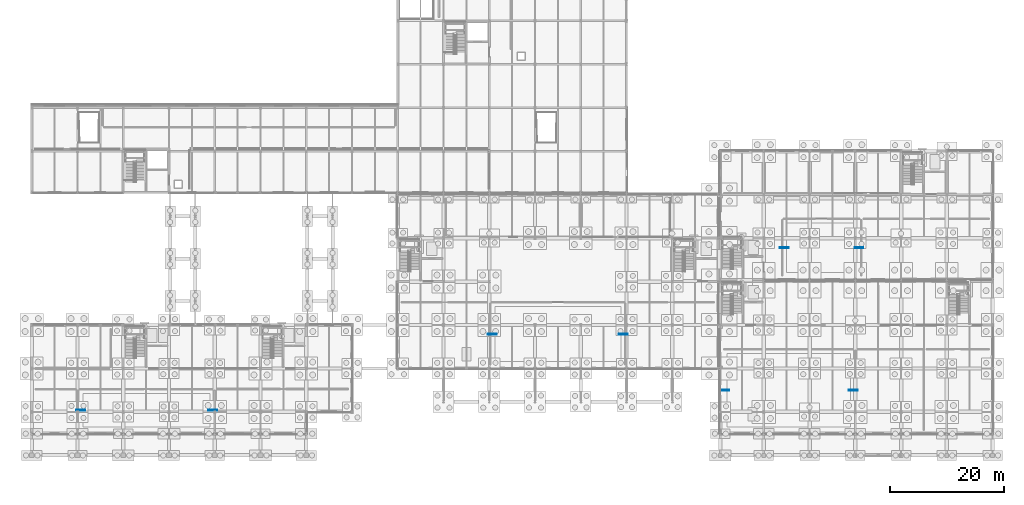
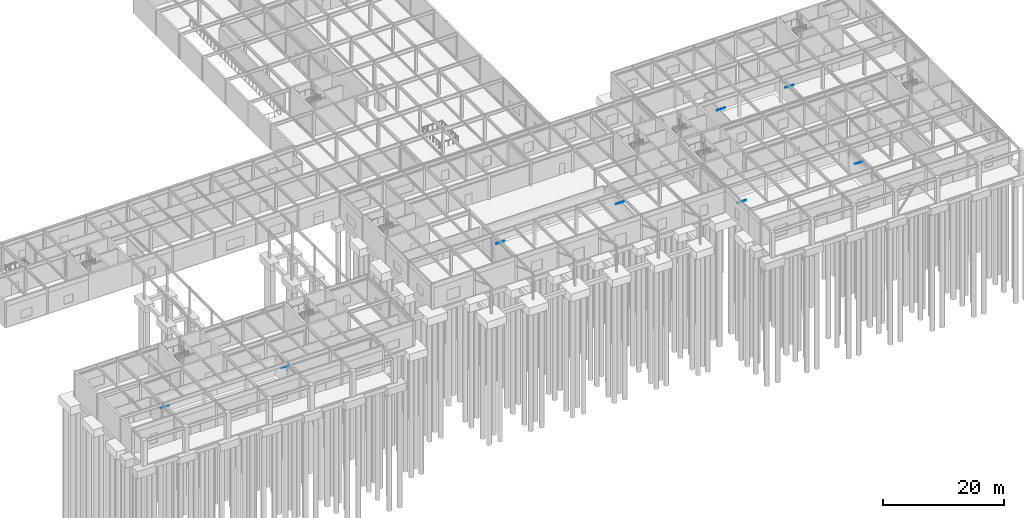
# One storey, part 51 of 62: 8 discrete accessories.
"""IFC4 building model written with IfcOpenShell, lengths in metres."""

from ifc_helpers import new_model, si_unit, direction, frame, origin, origin_2d, place, context, subcontext, project, spatial, rectangle, extrude, material, layer, layer_set, type_object, element, save


model = new_model("IFC4")

# Units and contexts
model_context = context("Model", 3, precision=1e-05, world=origin(), true_north=direction((0.0, 1.0)))
body_context = subcontext(model_context, "Body", "Model", "MODEL_VIEW")
ifc_project = project(units=[si_unit("LENGTHUNIT", "METRE"), si_unit("AREAUNIT", "SQUARE_METRE"), si_unit("VOLUMEUNIT", "CUBIC_METRE"), si_unit("PLANEANGLEUNIT", "RADIAN"), si_unit("MASSUNIT", "GRAM", prefix="KILO")], contexts=[model_context])

# Site, building, storey
site_placement = place(None, origin())
site = spatial("IfcSite", under=ifc_project, at=site_placement, CompositionType="ELEMENT")
building_placement = place(site_placement, origin())
building = spatial("IfcBuilding", under=site, at=building_placement, Name="Zulena Civic Courthouse", CompositionType="ELEMENT")
storey_placement = place(building_placement, origin())
storey = spatial("IfcBuildingStorey", under=building, at=storey_placement, Name="L00", CompositionType="ELEMENT", Elevation=0.0)

# Discrete accessories
ifc_material = material(Name="Gold anodised architectural aluminium AA6063-T6", Category="aluminium")
ifc_layer = layer(ifc_material, 0.1201171875)
ifc_layer_set = layer_set([ifc_layer], Name="Gold anodised architectural aluminium AA6063-T6")
discrete_accessory_type = type_object("IfcDiscreteAccessoryType", Name="FinOutriggerBracket", PredefinedType="BRACKET", material=ifc_layer_set)
for number, where, z_axis, x_axis, name in (
    (1, (125.14990234375, 11.39990234375, 3.989990234375), (0.0, 0.0, 1.0), (1.0, 0.0, 0.0), "hng:ceil:L00:209:0"),
    (2, (147.64990234375, 11.39990234375, 3.989990234375), (0.0, 0.0, 1.0), (1.0, 0.0, 0.0), "hng:ceil:L00:209:1"),
    (3, (84.550048828125, 21.199951171875, 3.989990234375), (0.0, 0.0, 1.0), (1.0, 0.0, 0.0), "hng:ceil:L00:231:0"),
    (4, (107.449951171875, 21.199951171875, 3.989990234375), (0.0, 0.0, 1.0), (1.0, 0.0, 0.0), "hng:ceil:L00:231:1"),
    (5, (135.550048828125, 36.300048828125, 3.989990234375), (0.0, 0.0, 1.0), (1.0, 0.0, 0.0), "hng:ceil:L00:259:0"),
    (6, (148.64990234375, 36.300048828125, 3.989990234375), (0.0, 0.0, 1.0), (1.0, 0.0, 0.0), "hng:ceil:L00:259:1"),
    (7, (12.550048828125, 7.89990234375, 3.989990234375), (0.0, 0.0, 1.0), (1.0, 0.0, 0.0), "hng:ceil:L00:290:0"),
    (8, (35.64990234375, 7.89990234375, 3.989990234375), (0.0, 0.0, 1.0), (1.0, 0.0, 0.0), "hng:ceil:L00:290:1"),
):
    element("IfcDiscreteAccessory", number, at=place(storey_placement, frame(where, z_axis=z_axis, x_axis=x_axis)), inside=storey, type_object=discrete_accessory_type, Name=name, PredefinedType="BRACKET", context=body_context, shape_type="SweptSolid", body=[
        extrude(rectangle(XDim=1.550048828125, YDim=0.1201171875, at=origin_2d()), origin(), (0.0, 0.0, 1.0), 0.080078125),
    ])

save(model, "model.ifc")
